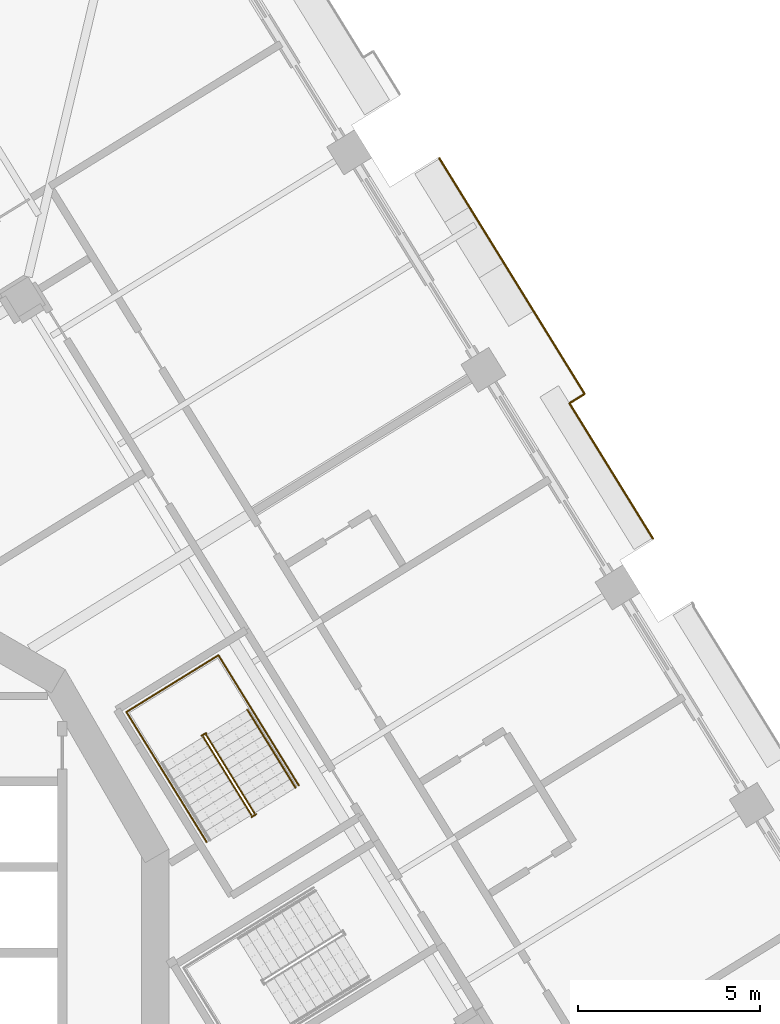
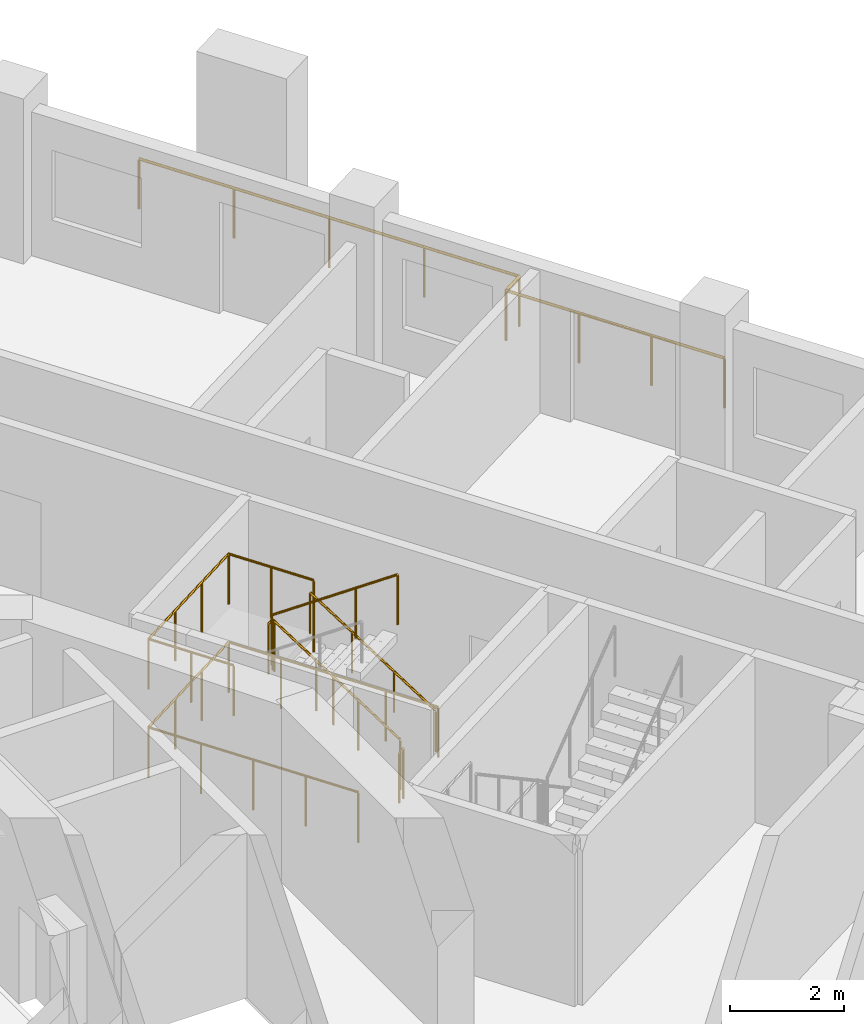
# One storey, part 20 of 22: 8 railings.
"""IFC4 building model written with IfcOpenShell, lengths in metres."""

import ifcopenshell
import ifcopenshell.guid

model = None  # the IFC model being written
_history = None  # IfcOwnerHistory: only IFC2X3 demands one
_inside = {}  # id of a spatial element -> (the spatial element, [elements in it])
_under = {}  # id of a project, library or spatial element -> (it, [spatial elements below it])
_declared = {}  # id of a project -> (the project, [libraries it declares])
_typed = {}  # id of a type object -> (the type object, [elements of that type])
_made_of = {}  # id of a material, layer set ... -> (it, [elements and type objects made of it])


def new_model(schema):
    """Start an empty IFC model of exactly this schema.

    Asked for "IFC4X3", IfcOpenShell would pick the latest addendum, in which some entities
    have other attributes; the version numbers below select the first issue.
    IFC2X3 requires an IfcOwnerHistory on every rooted entity: one is made here for all.
    """
    global model, _history
    if schema == "IFC4X3":
        model = ifcopenshell.file(schema_version=(4, 3, 0, 0))
    else:
        model = ifcopenshell.file(schema=schema)
    _inside.clear()
    _under.clear()
    _declared.clear()
    _typed.clear()
    _made_of.clear()
    _history = None
    if model.schema == "IFC2X3":
        org = make("IfcOrganization", Name="unknown")
        user = make(
            "IfcPersonAndOrganization",
            ThePerson=make("IfcPerson", FamilyName="unknown"),
            TheOrganization=org,
        )
        app = make(
            "IfcApplication",
            ApplicationDeveloper=org,
            Version="unknown",
            ApplicationFullName="unknown",
            ApplicationIdentifier="unknown",
        )
        _history = make(
            "IfcOwnerHistory",
            OwningUser=user,
            OwningApplication=app,
            ChangeAction="ADDED",
            CreationDate=0,
        )
    return model


def make(cls, **values):
    """One entity of the class cls with the attributes given. An attribute that is None is left unset."""
    return model.create_entity(
        cls, **{name: value for name, value in values.items() if value is not None}
    )


def rooted(cls, **values):
    """An entity with a GlobalId (a new one), such as an element, a storey or a relation."""
    return make(cls, GlobalId=ifcopenshell.guid.new(), OwnerHistory=_history, **values)


def si_unit(unit_type, name, prefix=None):
    """IfcSIUnit, for example si_unit("LENGTHUNIT", "METRE", prefix="MILLI")."""
    return make("IfcSIUnit", UnitType=unit_type, Prefix=prefix, Name=name)


def assignment(units):
    """IfcUnitAssignment: the units of a project."""
    return None if units is None else make("IfcUnitAssignment", Units=units)


def point(xyz):
    """IfcCartesianPoint."""
    return None if xyz is None else make("IfcCartesianPoint", Coordinates=xyz)


def direction(xyz):
    """IfcDirection."""
    return None if xyz is None else make("IfcDirection", DirectionRatios=xyz)


def frame(location, z_axis=None, x_axis=None):
    """IfcAxis2Placement3D, a coordinate frame: its origin and axes. An axis left out is left unset."""
    return make(
        "IfcAxis2Placement3D",
        Location=point(location),
        Axis=direction(z_axis),
        RefDirection=direction(x_axis),
    )


def frame_2d(location, x_axis=None):
    """IfcAxis2Placement2D, a coordinate frame in the plane: its origin and x axis."""
    return make(
        "IfcAxis2Placement2D", Location=point(location), RefDirection=direction(x_axis)
    )


def origin():
    """The frame at (0, 0, 0) with its axes left unset."""
    return frame((0.0, 0.0, 0.0))


def origin_2d():
    """The frame at (0, 0) in the plane with its x axis left unset."""
    return frame_2d((0.0, 0.0))


def place(relative_to, where):
    """IfcLocalPlacement: puts the frame where relative to a parent placement (None: the world)."""
    return make(
        "IfcLocalPlacement", PlacementRelTo=relative_to, RelativePlacement=where
    )


def context(
    kind, dimensions, precision=None, world=None, true_north=None, identifier=None
):
    """IfcGeometricRepresentationContext, for example the 3D "Model" context."""
    return make(
        "IfcGeometricRepresentationContext",
        ContextIdentifier=identifier,
        ContextType=kind,
        CoordinateSpaceDimension=dimensions,
        Precision=precision,
        WorldCoordinateSystem=world,
        TrueNorth=true_north,
    )


def subcontext(parent, identifier, kind, view, scale=None):
    """IfcGeometricRepresentationSubContext, for example "Body" below "Model"."""
    return make(
        "IfcGeometricRepresentationSubContext",
        ContextIdentifier=identifier,
        ContextType=kind,
        ParentContext=parent,
        TargetScale=scale,
        TargetView=view,
    )


def project(units=None, contexts=None):
    """IfcProject with its units and contexts."""
    return rooted(
        "IfcProject",
        Name="project",
        RepresentationContexts=contexts,
        UnitsInContext=assignment(units),
    )


def spatial(cls, under=None, at=None, **own):
    """A site, building, storey or space (cls), placed at a placement, below another one or the project."""
    s = rooted(cls, ObjectPlacement=at, **own)
    if under is not None:
        _under.setdefault(under.id(), (under, []))[1].append(s)
    return s


def profile(cls, at=None, kind="AREA", **sizes):
    """A parametric profile (cls). Its sizes go by their IFC names, for example OverallWidth=200.0."""
    return make(cls, ProfileType=kind, Position=at, **sizes)


def circle(**sizes):
    """IfcCircleProfileDef."""
    return profile("IfcCircleProfileDef", **sizes)


def extrude(swept, where, along, depth):
    """IfcExtrudedAreaSolid: the profile swept, set in the frame where, extruded along a direction by depth."""
    return make(
        "IfcExtrudedAreaSolid",
        SweptArea=swept,
        Position=where,
        ExtrudedDirection=direction(along),
        Depth=depth,
    )


def shape(context_of_items, identifier, shape_type, items):
    """IfcShapeRepresentation: the items that make up one representation, for example the "Body"."""
    return make(
        "IfcShapeRepresentation",
        ContextOfItems=context_of_items,
        RepresentationIdentifier=identifier,
        RepresentationType=shape_type,
        Items=items,
    )


def material(Name=None, Category=None):
    """IfcMaterial."""
    return make("IfcMaterial", Name=Name, Category=Category)


def made_of(thing, what):
    """Note that an element or type object is made of a material, layer set ...; save() writes the relation."""
    if what is not None:
        _made_of.setdefault(what.id(), (what, []))[1].append(thing)
    return thing


def type_object(cls, material=None, **own):
    """A type object (cls), such as IfcWallType, which elements share."""
    return made_of(rooted(cls, **own), material)


def element(
    cls,
    number,
    at=None,
    inside=None,
    cuts=None,
    type_object=None,
    material=None,
    context=None,
    identifier="Body",
    shape_type=None,
    held_by="IfcProductDefinitionShape",
    body=None,
    shapes=None,
    **own,
):
    """One element of the class cls, such as IfcWall. Its Tag is "e" and its number.

    at: its placement. inside: the storey or other place that contains it. cuts: it is an
    opening in that element (IfcRelVoidsElement). A single representation is given by context,
    identifier, shape_type and body (its items); several are given by shapes. held_by: the class
    of the entity that holds the representations. save() writes the other relations.
    """
    e = rooted(cls, Tag="e%d" % number, ObjectPlacement=at, **own)
    if body is not None:
        shapes = [shape(context, identifier, shape_type, body)]
    if shapes is not None:
        e.Representation = make(held_by, Representations=shapes)
    if inside is not None:
        _inside.setdefault(inside.id(), (inside, []))[1].append(e)
    if cuts is not None:
        rooted(
            "IfcRelVoidsElement", RelatingBuildingElement=cuts, RelatedOpeningElement=e
        )
    if type_object is not None:
        _typed.setdefault(type_object.id(), (type_object, []))[1].append(e)
    return made_of(e, material)


def aggregate(whole, parts):
    """IfcRelAggregates: a whole, such as a stair, and the parts it consists of."""
    return rooted("IfcRelAggregates", RelatingObject=whole, RelatedObjects=parts)


def save(model, path):
    """Write the relations noted so far, then the file.

    IfcRelAggregates (storeys below a building ...), IfcRelContainedInSpatialStructure (elements
    in a storey), IfcRelDefinesByType, IfcRelAssociatesMaterial and IfcRelDeclares: one each for
    every whole, place, type object, material and project.
    """
    for whole, parts in _under.values():
        aggregate(whole, parts)
    for where, things in _inside.values():
        rooted(
            "IfcRelContainedInSpatialStructure",
            RelatedElements=things,
            RelatingStructure=where,
        )
    for kind, things in _typed.values():
        rooted("IfcRelDefinesByType", RelatedObjects=things, RelatingType=kind)
    for what, things in _made_of.values():
        rooted("IfcRelAssociatesMaterial", RelatedObjects=things, RelatingMaterial=what)
    for by, libraries in _declared.values():
        rooted("IfcRelDeclares", RelatingContext=by, RelatedDefinitions=libraries)
    model.write(path)


model = new_model("IFC4")

# Units and contexts
model_context = context("Model", 3, precision=1e-05, world=origin(), true_north=direction((0.0, 1.0)))
body_context = subcontext(model_context, "Body", "Model", "MODEL_VIEW")
ifc_project = project(units=[si_unit("LENGTHUNIT", "METRE"), si_unit("AREAUNIT", "SQUARE_METRE"), si_unit("VOLUMEUNIT", "CUBIC_METRE"), si_unit("PLANEANGLEUNIT", "RADIAN"), si_unit("MASSUNIT", "GRAM", prefix="KILO")], contexts=[model_context])

# Site, building, storey
site_placement = place(None, origin())
site = spatial("IfcSite", under=ifc_project, at=site_placement, CompositionType="ELEMENT")
building_placement = place(site_placement, origin())
building = spatial("IfcBuilding", under=site, at=building_placement, Name="Cantera Rosa Tower", CompositionType="ELEMENT")
storey_placement = place(building_placement, frame((0.0, 0.0, 166.60009765625)))
storey = spatial("IfcBuildingStorey", under=building, at=storey_placement, Name="L36", CompositionType="ELEMENT", Elevation=166.60009765625)

# Railings
ifc_material_1 = material(Name="Stainless steel and laminated glass", Category="steel")
railing_type_1 = type_object("IfcRailingType", Name="GUARD 1100", PredefinedType="BALUSTRADE", material=ifc_material_1)
railing_1_placement = place(storey_placement, frame((21.629150390625, 15.090087890625, 0.0)))
element("IfcRailing", 1, at=railing_1_placement, inside=storey, type_object=railing_type_1, Name="GUARD L36-12", PredefinedType="BALUSTRADE", context=body_context, shape_type="SweptSolid", body=[
    extrude(circle(Radius=0.030029296875, at=origin_2d()), frame((0.0, 0.0, 1.070068359375), z_axis=(0.524976423486, -0.851116769182, 0.0), x_axis=(0.851116769182, 0.524976423486, 0.0)), (0.0, 0.0, 1.0), 4.36865234375),
    extrude(circle(Radius=0.02490234375, at=origin_2d()), origin(), (0.0, 0.0, 1.0), 1.0400390625),
    extrude(circle(Radius=0.02490234375, at=origin_2d()), frame((0.764404296875, -1.239501953125, 0.0)), (0.0, 0.0, 1.0), 1.0400390625),
    extrude(circle(Radius=0.02490234375, at=origin_2d()), frame((1.529052734375, -2.478759765625, 0.0)), (0.0, 0.0, 1.0), 1.0400390625),
    extrude(circle(Radius=0.02490234375, at=origin_2d()), frame((2.29345703125, -3.71826171875, 0.0)), (0.0, 0.0, 1.0), 1.0400390625),
])
railing_2_placement = place(storey_placement, frame((18.051025390625, 21.825927734375, 0.0)))
element("IfcRailing", 2, at=railing_2_placement, inside=storey, type_object=railing_type_1, Name="GUARD L36-13", PredefinedType="BALUSTRADE", context=body_context, shape_type="SweptSolid", body=[
    extrude(circle(Radius=0.030029296875, at=origin_2d()), frame((0.0, 0.0, 1.070068359375), z_axis=(0.524975843748, -0.85111712677, 0.0), x_axis=(0.85111712677, 0.524975843748, 0.0)), (0.0, 0.0, 1.0), 7.611572265625),
    extrude(circle(Radius=0.030029296875, at=origin_2d()), frame((3.995849609375, -6.478271484375, 1.070068359375), z_axis=(-0.851196799176, -0.524846652911, 0.0), x_axis=(0.524846652911, -0.851196799176, 0.0)), (0.0, 0.0, 1.0), 0.49072265625),
    extrude(circle(Radius=0.02490234375, at=origin_2d()), origin(), (0.0, 0.0, 1.0), 1.0400390625),
    extrude(circle(Radius=0.02490234375, at=origin_2d()), frame((0.9990234375, -1.61962890625, 0.0)), (0.0, 0.0, 1.0), 1.0400390625),
    extrude(circle(Radius=0.02490234375, at=origin_2d()), frame((1.998046875, -3.2392578125, 0.0)), (0.0, 0.0, 1.0), 1.0400390625),
    extrude(circle(Radius=0.02490234375, at=origin_2d()), frame((2.996826171875, -4.858642578125, 0.0)), (0.0, 0.0, 1.0), 1.0400390625),
    extrude(circle(Radius=0.02490234375, at=origin_2d()), frame((3.995849609375, -6.478271484375, 0.0)), (0.0, 0.0, 1.0), 1.0400390625),
    extrude(circle(Radius=0.02490234375, at=origin_2d()), frame((3.578125, -6.73583984375, 0.0)), (0.0, 0.0, 1.0), 1.0400390625),
])
ifc_material_2 = material(Name="Steel S355J2 (EN 10025-2)", Category="steel")
railing_type_2 = type_object("IfcRailingType", Name="STAIR GUARD 1100", PredefinedType="GUARDRAIL", material=ifc_material_2)
railing_3_placement = place(storey_placement, frame((12.9765625, 3.834228515625, 0.18994140625)))
element("IfcRailing", 3, at=railing_3_placement, inside=storey, type_object=railing_type_2, Name="L36 ST-31 stair guard 1", PredefinedType="GUARDRAIL", context=body_context, shape_type="SweptSolid", body=[
    extrude(circle(Radius=0.02392578125, at=origin_2d()), frame((0.0, 0.0, 1.076171875), z_axis=(-0.434362572038, 0.70429590169, 0.561512634654), x_axis=(-0.851145618652, -0.524929648476, 0.0)), (0.0, 0.0, 1.0), 3.045166015625),
    extrude(circle(Radius=0.02392578125, at=origin_2d()), frame((-1.32275390625, 2.144775390625, 2.7861328125), z_axis=(-0.073711968402, 0.997279572494, 0.0), x_axis=(-0.997279572494, -0.073711968402, 0.0)), (0.0, 0.0, 1.0), 0.056396484375),
    extrude(circle(Radius=0.02392578125, at=origin_2d()), frame((-1.326904296875, 2.200927734375, 2.7861328125), z_axis=(-0.851546489876, -0.524279100842, 0.0), x_axis=(0.524279100842, -0.851546489876, 0.0)), (0.0, 0.0, 1.0), 0.14990234375),
    extrude(circle(Radius=0.02099609375, at=origin_2d()), origin(), (0.0, 0.0, 1.0), 1.052001953125),
    extrude(circle(Radius=0.02099609375, at=origin_2d()), frame((-0.44091796875, 0.71484375, 0.570068359375)), (0.0, 0.0, 1.0), 1.052001953125),
    extrude(circle(Radius=0.02099609375, at=origin_2d()), frame((-0.8818359375, 1.429931640625, 1.139892578125)), (0.0, 0.0, 1.0), 1.052001953125),
    extrude(circle(Radius=0.02099609375, at=origin_2d()), frame((-1.32275390625, 2.144775390625, 1.7099609375)), (0.0, 0.0, 1.0), 1.052001953125),
    extrude(circle(Radius=0.02099609375, at=origin_2d()), frame((-1.326904296875, 2.200927734375, 1.7099609375)), (0.0, 0.0, 1.0), 1.052001953125),
    extrude(circle(Radius=0.02099609375, at=origin_2d()), frame((-1.45458984375, 2.122314453125, 1.7099609375)), (0.0, 0.0, 1.0), 1.052001953125),
])
railing_4_placement = place(storey_placement, frame((11.5703125, 5.927490234375, 2.08984375)))
element("IfcRailing", 4, at=railing_4_placement, inside=storey, type_object=railing_type_2, Name="L36 ST-31 stair guard 2", PredefinedType="GUARDRAIL", context=body_context, shape_type="SweptSolid", body=[
    extrude(circle(Radius=0.02392578125, at=origin_2d()), frame((0.0, 0.0, 1.076171875), z_axis=(0.434427613125, -0.704271375033, 0.561493080334), x_axis=(0.851102330005, 0.524999832248, 0.0)), (0.0, 0.0, 1.0), 3.04541015625),
    extrude(circle(Radius=0.02099609375, at=origin_2d()), origin(), (0.0, 0.0, 1.0), 1.052001953125),
    extrude(circle(Radius=0.02099609375, at=origin_2d()), frame((0.44091796875, -0.71484375, 0.570068359375)), (0.0, 0.0, 1.0), 1.052001953125),
    extrude(circle(Radius=0.02099609375, at=origin_2d()), frame((0.882080078125, -1.429931640625, 1.139892578125)), (0.0, 0.0, 1.0), 1.052001953125),
    extrude(circle(Radius=0.02099609375, at=origin_2d()), frame((1.322998046875, -2.144775390625, 1.7099609375)), (0.0, 0.0, 1.0), 1.052001953125),
])
railing_5_placement = place(storey_placement, frame((13.025146484375, 3.80517578125, 0.0)))
element("IfcRailing", 5, at=railing_5_placement, inside=storey, type_object=railing_type_2, Name="L36 ST-31 stair guard 3", PredefinedType="GUARDRAIL", context=body_context, shape_type="SweptSolid", body=[
    extrude(circle(Radius=0.02392578125, at=origin_2d()), frame((0.0, 0.0, 1.076171875), z_axis=(-0.851546489876, -0.524279100842, 0.0), x_axis=(0.524279100842, -0.851546489876, 0.0)), (0.0, 0.0, 1.0), 0.14990234375),
    extrude(circle(Radius=0.02099609375, at=origin_2d()), origin(), (0.0, 0.0, 1.0), 1.052001953125),
    extrude(circle(Radius=0.02099609375, at=origin_2d()), frame((-0.127685546875, -0.07861328125, 0.0)), (0.0, 0.0, 1.0), 1.052001953125),
])
railing_6_placement = place(storey_placement, frame((14.192626953125, 4.59814453125, 0.0)))
element("IfcRailing", 6, at=railing_6_placement, inside=storey, type_object=railing_type_2, Name="L36 ST-31 stair guard 4", PredefinedType="GUARDRAIL", context=body_context, shape_type="SweptSolid", body=[
    extrude(circle(Radius=0.02392578125, at=origin_2d()), frame((0.0, 0.0, 1.076171875), z_axis=(-0.524976478809, 0.851116735059, 0.0), x_axis=(-0.851116735059, -0.524976478809, 0.0)), (0.0, 0.0, 1.0), 4.197998046875),
    extrude(circle(Radius=0.02392578125, at=origin_2d()), frame((-2.203857421875, 3.572998046875, 1.076171875), z_axis=(-0.851132917336, -0.524950242429, 0.0), x_axis=(0.524950242429, -0.851132917336, 0.0)), (0.0, 0.0, 1.0), 2.969970703125),
    extrude(circle(Radius=0.02392578125, at=origin_2d()), frame((-4.731689453125, 2.013916015625, 1.076171875), z_axis=(0.524976478809, -0.851116735059, 0.0), x_axis=(0.851116735059, 0.524976478809, 0.0)), (0.0, 0.0, 1.0), 4.197998046875),
    extrude(circle(Radius=0.02099609375, at=origin_2d()), origin(), (0.0, 0.0, 1.0), 1.052001953125),
    extrude(circle(Radius=0.02099609375, at=origin_2d()), frame((-0.551025390625, 0.893310546875, 0.0)), (0.0, 0.0, 1.0), 1.052001953125),
    extrude(circle(Radius=0.02099609375, at=origin_2d()), frame((-1.10205078125, 1.78662109375, 0.0)), (0.0, 0.0, 1.0), 1.052001953125),
    extrude(circle(Radius=0.02099609375, at=origin_2d()), frame((-1.65283203125, 2.6796875, 0.0)), (0.0, 0.0, 1.0), 1.052001953125),
    extrude(circle(Radius=0.02099609375, at=origin_2d()), frame((-2.203857421875, 3.572998046875, 0.0)), (0.0, 0.0, 1.0), 1.052001953125),
    extrude(circle(Radius=0.02099609375, at=origin_2d()), frame((-3.04638671875, 3.05322265625, 0.0)), (0.0, 0.0, 1.0), 1.052001953125),
    extrude(circle(Radius=0.02099609375, at=origin_2d()), frame((-3.88916015625, 2.53369140625, 0.0)), (0.0, 0.0, 1.0), 1.052001953125),
    extrude(circle(Radius=0.02099609375, at=origin_2d()), frame((-4.731689453125, 2.013916015625, 0.0)), (0.0, 0.0, 1.0), 1.052001953125),
    extrude(circle(Radius=0.02099609375, at=origin_2d()), frame((-4.1806640625, 1.12060546875, 0.0)), (0.0, 0.0, 1.0), 1.052001953125),
    extrude(circle(Radius=0.02099609375, at=origin_2d()), frame((-3.6298828125, 0.2275390625, 0.0)), (0.0, 0.0, 1.0), 1.052001953125),
    extrude(circle(Radius=0.02099609375, at=origin_2d()), frame((-3.078857421875, -0.665771484375, 0.0)), (0.0, 0.0, 1.0), 1.052001953125),
    extrude(circle(Radius=0.02099609375, at=origin_2d()), frame((-2.52783203125, -1.55908203125, 0.0)), (0.0, 0.0, 1.0), 1.052001953125),
])
railing_7_placement = place(storey_placement, frame((12.88232421875, 6.72265625, 1.89990234375)))
element("IfcRailing", 7, at=railing_7_placement, inside=storey, type_object=railing_type_2, Name="L36 ST-31 stair guard 5", PredefinedType="GUARDRAIL", context=body_context, shape_type="SweptSolid", body=[
    extrude(circle(Radius=0.02392578125, at=origin_2d()), frame((0.0, 0.0, 1.076171875), z_axis=(-0.525025534833, 0.851086474909, 0.0), x_axis=(-0.851086474909, -0.525025534833, 0.0)), (0.0, 0.0, 1.0), 1.701904296875),
    extrude(circle(Radius=0.02392578125, at=origin_2d()), frame((-0.8935546875, 1.448486328125, 1.076171875), z_axis=(-0.851132917336, -0.524950242429, 0.0), x_axis=(0.524950242429, -0.851132917336, 0.0)), (0.0, 0.0, 1.0), 2.969970703125),
    extrude(circle(Radius=0.02392578125, at=origin_2d()), frame((-3.42138671875, -0.110595703125, 1.076171875), z_axis=(0.524961441845, -0.851126009811, 0.0), x_axis=(0.851126009811, 0.524961441845, 0.0)), (0.0, 0.0, 1.0), 1.7021484375),
    extrude(circle(Radius=0.02099609375, at=origin_2d()), origin(), (0.0, 0.0, 1.0), 1.052001953125),
    extrude(circle(Radius=0.02099609375, at=origin_2d()), frame((-0.44677734375, 0.72412109375, 0.0)), (0.0, 0.0, 1.0), 1.052001953125),
    extrude(circle(Radius=0.02099609375, at=origin_2d()), frame((-0.8935546875, 1.448486328125, 0.0)), (0.0, 0.0, 1.0), 1.052001953125),
    extrude(circle(Radius=0.02099609375, at=origin_2d()), frame((-1.736083984375, 0.9287109375, 0.0)), (0.0, 0.0, 1.0), 1.052001953125),
    extrude(circle(Radius=0.02099609375, at=origin_2d()), frame((-2.578857421875, 0.4091796875, 0.0)), (0.0, 0.0, 1.0), 1.052001953125),
    extrude(circle(Radius=0.02099609375, at=origin_2d()), frame((-3.42138671875, -0.110595703125, 0.0)), (0.0, 0.0, 1.0), 1.052001953125),
    extrude(circle(Radius=0.02099609375, at=origin_2d()), frame((-2.974609375, -0.8349609375, 0.0)), (0.0, 0.0, 1.0), 1.052001953125),
    extrude(circle(Radius=0.02099609375, at=origin_2d()), frame((-2.52783203125, -1.559326171875, 0.0)), (0.0, 0.0, 1.0), 1.052001953125),
])
ifc_material_3 = material(Name="Steel S355J2 (EN 10025-2)", Category="steel")
railing_type_3 = type_object("IfcRailingType", Name="STAIR HANDRAIL 900", PredefinedType="HANDRAIL", material=ifc_material_3)
railing_8_placement = place(storey_placement, frame((14.105224609375, 4.5302734375, 0.18994140625)))
element("IfcRailing", 8, at=railing_8_placement, inside=storey, type_object=railing_type_3, Name="L36 ST-31 stair handrail 1", PredefinedType="HANDRAIL", context=body_context, shape_type="SweptSolid", body=[
    extrude(circle(Radius=0.02392578125, at=origin_2d()), frame((0.0, 0.0, 0.8759765625), z_axis=(-0.434427613125, 0.704271375033, 0.561493080334), x_axis=(-0.851102330005, -0.524999832248, 0.0)), (0.0, 0.0, 1.0), 3.04541015625),
    extrude(circle(Radius=0.02099609375, at=origin_2d()), origin(), (0.0, 0.0, 1.0), 0.851806640625),
    extrude(circle(Radius=0.02099609375, at=origin_2d()), frame((-0.44091796875, 0.71484375, 0.570068359375)), (0.0, 0.0, 1.0), 0.851806640625),
    extrude(circle(Radius=0.02099609375, at=origin_2d()), frame((-0.882080078125, 1.429931640625, 1.139892578125)), (0.0, 0.0, 1.0), 0.851806640625),
    extrude(circle(Radius=0.02099609375, at=origin_2d()), frame((-1.322998046875, 2.144775390625, 1.7099609375)), (0.0, 0.0, 1.0), 0.851806640625),
])

save(model, "model.ifc")
